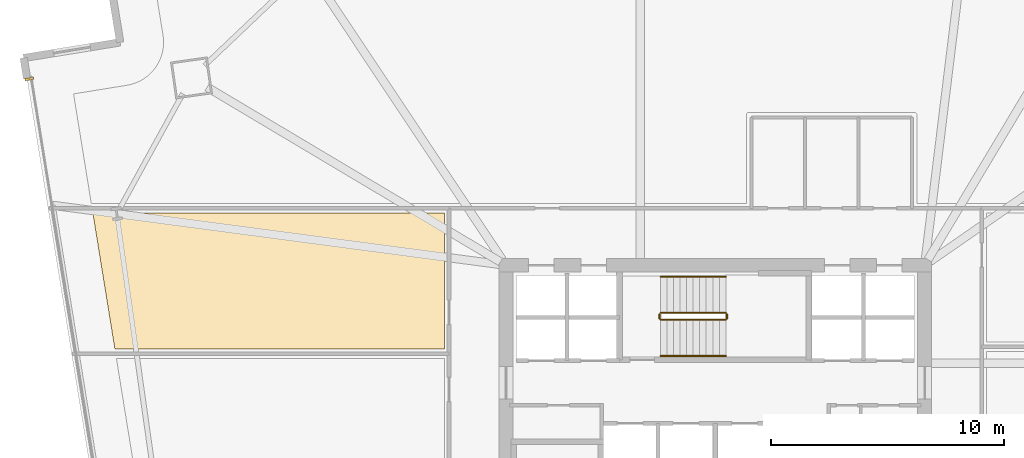
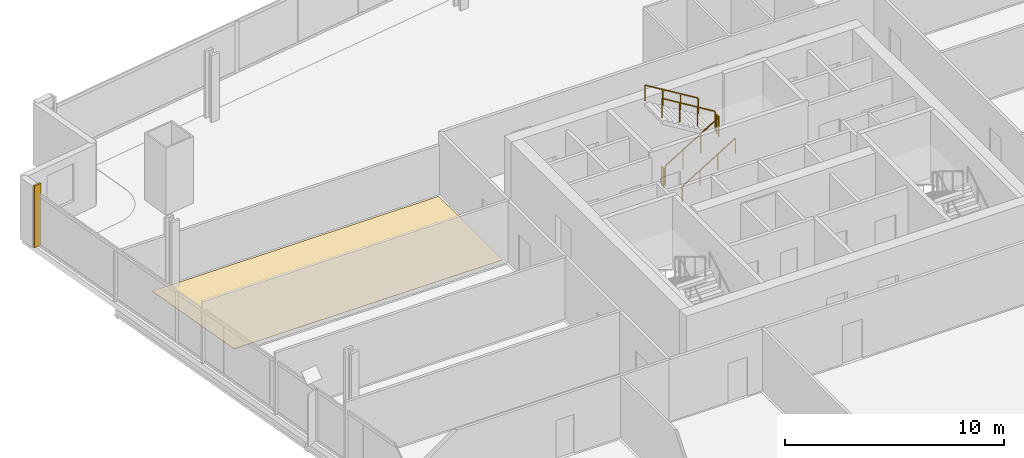
# One storey, part 32 of 33: 6 railings, 2 coverings.
"""IFC4 building model written with IfcOpenShell, lengths in metres."""

import ifcopenshell
import ifcopenshell.guid

model = None  # the IFC model being written
_history = None  # IfcOwnerHistory: only IFC2X3 demands one
_inside = {}  # id of a spatial element -> (the spatial element, [elements in it])
_under = {}  # id of a project, library or spatial element -> (it, [spatial elements below it])
_declared = {}  # id of a project -> (the project, [libraries it declares])
_typed = {}  # id of a type object -> (the type object, [elements of that type])
_made_of = {}  # id of a material, layer set ... -> (it, [elements and type objects made of it])


def new_model(schema):
    """Start an empty IFC model of exactly this schema.

    Asked for "IFC4X3", IfcOpenShell would pick the latest addendum, in which some entities
    have other attributes; the version numbers below select the first issue.
    IFC2X3 requires an IfcOwnerHistory on every rooted entity: one is made here for all.
    """
    global model, _history
    if schema == "IFC4X3":
        model = ifcopenshell.file(schema_version=(4, 3, 0, 0))
    else:
        model = ifcopenshell.file(schema=schema)
    _inside.clear()
    _under.clear()
    _declared.clear()
    _typed.clear()
    _made_of.clear()
    _history = None
    if model.schema == "IFC2X3":
        org = make("IfcOrganization", Name="unknown")
        user = make(
            "IfcPersonAndOrganization",
            ThePerson=make("IfcPerson", FamilyName="unknown"),
            TheOrganization=org,
        )
        app = make(
            "IfcApplication",
            ApplicationDeveloper=org,
            Version="unknown",
            ApplicationFullName="unknown",
            ApplicationIdentifier="unknown",
        )
        _history = make(
            "IfcOwnerHistory",
            OwningUser=user,
            OwningApplication=app,
            ChangeAction="ADDED",
            CreationDate=0,
        )
    return model


def make(cls, **values):
    """One entity of the class cls with the attributes given. An attribute that is None is left unset."""
    return model.create_entity(
        cls, **{name: value for name, value in values.items() if value is not None}
    )


def rooted(cls, **values):
    """An entity with a GlobalId (a new one), such as an element, a storey or a relation."""
    return make(cls, GlobalId=ifcopenshell.guid.new(), OwnerHistory=_history, **values)


def si_unit(unit_type, name, prefix=None):
    """IfcSIUnit, for example si_unit("LENGTHUNIT", "METRE", prefix="MILLI")."""
    return make("IfcSIUnit", UnitType=unit_type, Prefix=prefix, Name=name)


def assignment(units):
    """IfcUnitAssignment: the units of a project."""
    return None if units is None else make("IfcUnitAssignment", Units=units)


def point(xyz):
    """IfcCartesianPoint."""
    return None if xyz is None else make("IfcCartesianPoint", Coordinates=xyz)


def direction(xyz):
    """IfcDirection."""
    return None if xyz is None else make("IfcDirection", DirectionRatios=xyz)


def frame(location, z_axis=None, x_axis=None):
    """IfcAxis2Placement3D, a coordinate frame: its origin and axes. An axis left out is left unset."""
    return make(
        "IfcAxis2Placement3D",
        Location=point(location),
        Axis=direction(z_axis),
        RefDirection=direction(x_axis),
    )


def frame_2d(location, x_axis=None):
    """IfcAxis2Placement2D, a coordinate frame in the plane: its origin and x axis."""
    return make(
        "IfcAxis2Placement2D", Location=point(location), RefDirection=direction(x_axis)
    )


def origin():
    """The frame at (0, 0, 0) with its axes left unset."""
    return frame((0.0, 0.0, 0.0))


def origin_2d():
    """The frame at (0, 0) in the plane with its x axis left unset."""
    return frame_2d((0.0, 0.0))


def place(relative_to, where):
    """IfcLocalPlacement: puts the frame where relative to a parent placement (None: the world)."""
    return make(
        "IfcLocalPlacement", PlacementRelTo=relative_to, RelativePlacement=where
    )


def context(
    kind, dimensions, precision=None, world=None, true_north=None, identifier=None
):
    """IfcGeometricRepresentationContext, for example the 3D "Model" context."""
    return make(
        "IfcGeometricRepresentationContext",
        ContextIdentifier=identifier,
        ContextType=kind,
        CoordinateSpaceDimension=dimensions,
        Precision=precision,
        WorldCoordinateSystem=world,
        TrueNorth=true_north,
    )


def subcontext(parent, identifier, kind, view, scale=None):
    """IfcGeometricRepresentationSubContext, for example "Body" below "Model"."""
    return make(
        "IfcGeometricRepresentationSubContext",
        ContextIdentifier=identifier,
        ContextType=kind,
        ParentContext=parent,
        TargetScale=scale,
        TargetView=view,
    )


def project(units=None, contexts=None):
    """IfcProject with its units and contexts."""
    return rooted(
        "IfcProject",
        Name="project",
        RepresentationContexts=contexts,
        UnitsInContext=assignment(units),
    )


def spatial(cls, under=None, at=None, **own):
    """A site, building, storey or space (cls), placed at a placement, below another one or the project."""
    s = rooted(cls, ObjectPlacement=at, **own)
    if under is not None:
        _under.setdefault(under.id(), (under, []))[1].append(s)
    return s


def polyline(points):
    """IfcPolyline through the points."""
    return make("IfcPolyline", Points=[point(p) for p in points])


def profile(cls, at=None, kind="AREA", **sizes):
    """A parametric profile (cls). Its sizes go by their IFC names, for example OverallWidth=200.0."""
    return make(cls, ProfileType=kind, Position=at, **sizes)


def rectangle(**sizes):
    """IfcRectangleProfileDef."""
    return profile("IfcRectangleProfileDef", **sizes)


def outline(outer, holes=None, kind="AREA"):
    """IfcArbitraryClosedProfileDef: a profile drawn as a closed curve; with holes, ...WithVoids."""
    if holes is None:
        return make("IfcArbitraryClosedProfileDef", ProfileType=kind, OuterCurve=outer)
    return make(
        "IfcArbitraryProfileDefWithVoids",
        ProfileType=kind,
        OuterCurve=outer,
        InnerCurves=holes,
    )


def extrude(swept, where, along, depth):
    """IfcExtrudedAreaSolid: the profile swept, set in the frame where, extruded along a direction by depth."""
    return make(
        "IfcExtrudedAreaSolid",
        SweptArea=swept,
        Position=where,
        ExtrudedDirection=direction(along),
        Depth=depth,
    )


def shape(context_of_items, identifier, shape_type, items):
    """IfcShapeRepresentation: the items that make up one representation, for example the "Body"."""
    return make(
        "IfcShapeRepresentation",
        ContextOfItems=context_of_items,
        RepresentationIdentifier=identifier,
        RepresentationType=shape_type,
        Items=items,
    )


def source(mapping_origin, context_of_items, identifier, shape_type, items):
    """IfcRepresentationMap: a shape defined once, which mapped items show again and again."""
    return make(
        "IfcRepresentationMap",
        MappingOrigin=mapping_origin,
        MappedRepresentation=shape(context_of_items, identifier, shape_type, items),
    )


def transform(
    local_origin,
    x_axis=None,
    y_axis=None,
    z_axis=None,
    scale=None,
    scale2=None,
    scale3=None,
    uniform=True,
):
    """IfcCartesianTransformationOperator3D, or its non-uniform kind. x_axis, y_axis, z_axis: its Axis1, 2, 3."""
    if uniform:
        return make(
            "IfcCartesianTransformationOperator3D",
            Axis1=direction(x_axis),
            Axis2=direction(y_axis),
            LocalOrigin=point(local_origin),
            Scale=scale,
            Axis3=direction(z_axis),
        )
    return make(
        "IfcCartesianTransformationOperator3DnonUniform",
        Axis1=direction(x_axis),
        Axis2=direction(y_axis),
        LocalOrigin=point(local_origin),
        Scale=scale,
        Axis3=direction(z_axis),
        Scale2=scale2,
        Scale3=scale3,
    )


def mapped(mapping_source, mapping_target):
    """IfcMappedItem: shows the shape of a source again, moved by a transform."""
    return make(
        "IfcMappedItem", MappingSource=mapping_source, MappingTarget=mapping_target
    )


def material(Name=None, Category=None):
    """IfcMaterial."""
    return make("IfcMaterial", Name=Name, Category=Category)


def layer(
    of_material, thickness, ventilated=None, Name=None, Category=None, Priority=None
):
    """IfcMaterialLayer: one layer of a wall or slab, of a material (None: an air gap)."""
    return make(
        "IfcMaterialLayer",
        Material=of_material,
        LayerThickness=thickness,
        IsVentilated=ventilated,
        Name=Name,
        Category=Category,
        Priority=Priority,
    )


def layer_set(layers, Name=None):
    """IfcMaterialLayerSet."""
    return make("IfcMaterialLayerSet", MaterialLayers=layers, LayerSetName=Name)


def made_of(thing, what):
    """Note that an element or type object is made of a material, layer set ...; save() writes the relation."""
    if what is not None:
        _made_of.setdefault(what.id(), (what, []))[1].append(thing)
    return thing


def type_object(cls, material=None, **own):
    """A type object (cls), such as IfcWallType, which elements share."""
    return made_of(rooted(cls, **own), material)


def element(
    cls,
    number,
    at=None,
    inside=None,
    cuts=None,
    type_object=None,
    material=None,
    context=None,
    identifier="Body",
    shape_type=None,
    held_by="IfcProductDefinitionShape",
    body=None,
    shapes=None,
    **own,
):
    """One element of the class cls, such as IfcWall. Its Tag is "e" and its number.

    at: its placement. inside: the storey or other place that contains it. cuts: it is an
    opening in that element (IfcRelVoidsElement). A single representation is given by context,
    identifier, shape_type and body (its items); several are given by shapes. held_by: the class
    of the entity that holds the representations. save() writes the other relations.
    """
    e = rooted(cls, Tag="e%d" % number, ObjectPlacement=at, **own)
    if body is not None:
        shapes = [shape(context, identifier, shape_type, body)]
    if shapes is not None:
        e.Representation = make(held_by, Representations=shapes)
    if inside is not None:
        _inside.setdefault(inside.id(), (inside, []))[1].append(e)
    if cuts is not None:
        rooted(
            "IfcRelVoidsElement", RelatingBuildingElement=cuts, RelatedOpeningElement=e
        )
    if type_object is not None:
        _typed.setdefault(type_object.id(), (type_object, []))[1].append(e)
    return made_of(e, material)


def aggregate(whole, parts):
    """IfcRelAggregates: a whole, such as a stair, and the parts it consists of."""
    return rooted("IfcRelAggregates", RelatingObject=whole, RelatedObjects=parts)


def save(model, path):
    """Write the relations noted so far, then the file.

    IfcRelAggregates (storeys below a building ...), IfcRelContainedInSpatialStructure (elements
    in a storey), IfcRelDefinesByType, IfcRelAssociatesMaterial and IfcRelDeclares: one each for
    every whole, place, type object, material and project.
    """
    for whole, parts in _under.values():
        aggregate(whole, parts)
    for where, things in _inside.values():
        rooted(
            "IfcRelContainedInSpatialStructure",
            RelatedElements=things,
            RelatingStructure=where,
        )
    for kind, things in _typed.values():
        rooted("IfcRelDefinesByType", RelatedObjects=things, RelatingType=kind)
    for what, things in _made_of.values():
        rooted("IfcRelAssociatesMaterial", RelatedObjects=things, RelatingMaterial=what)
    for by, libraries in _declared.values():
        rooted("IfcRelDeclares", RelatingContext=by, RelatedDefinitions=libraries)
    model.write(path)


model = new_model("IFC4")

# Units and contexts
model_context = context("Model", 3, precision=1e-05, world=origin(), true_north=direction((0.0, 1.0)))
body_context = subcontext(model_context, "Body", "Model", "MODEL_VIEW")
ifc_project = project(units=[si_unit("LENGTHUNIT", "METRE"), si_unit("AREAUNIT", "SQUARE_METRE"), si_unit("VOLUMEUNIT", "CUBIC_METRE"), si_unit("PLANEANGLEUNIT", "RADIAN"), si_unit("MASSUNIT", "GRAM", prefix="KILO")], contexts=[model_context])

# Site, building, storey
site_placement = place(None, origin())
site = spatial("IfcSite", under=ifc_project, at=site_placement, CompositionType="ELEMENT")
building_placement = place(site_placement, origin())
building = spatial("IfcBuilding", under=site, at=building_placement, Name="Haldenkirk Collegiate Tower", CompositionType="ELEMENT")
storey_placement = place(building_placement, frame((0.0, 0.0, 58.949951171875)))
storey = spatial("IfcBuildingStorey", under=building, at=storey_placement, Name="L13", CompositionType="ELEMENT", Elevation=58.949951171875)

# Covering
ifc_material_1 = material(Name="Engineered collegiate oak acoustic flooring", Category="wood")
ifc_layer_1 = layer(ifc_material_1, 0.02197265625)
ifc_layer_set_1 = layer_set([ifc_layer_1], Name="Engineered collegiate oak acoustic flooring")
covering_type_1 = type_object("IfcCoveringType", Name="COV-FLOOR-TIMBER", PredefinedType="FLOORING", material=ifc_layer_set_1)
covering_1_placement = place(storey_placement, origin())
element("IfcCovering", 1, at=covering_1_placement, inside=storey, type_object=covering_type_1, Name="L13 academic room finish 09", PredefinedType="FLOORING", context=body_context, shape_type="SweptSolid", body=[
    extrude(outline(polyline([(9.237060546875, 36.25), (24.35009765625, 36.25), (24.35009765625, 30.39990234375), (10.184326171875, 30.39990234375), (9.237060546875, 36.25)])), origin(), (0.0, 0.0, 1.0), 0.02197265625),
])

# Railings
ifc_material_2 = material(Name="Painted architectural tubular steel", Category="steel")
railing_type_1 = type_object("IfcRailingType", Name="RLG-STAIR-GUARD-1100", PredefinedType="BALUSTRADE", material=ifc_material_2)
railing_1_placement = place(storey_placement, frame((33.64990234375, 31.64990234375, 0.17041015625)))
element("IfcRailing", 2, at=railing_1_placement, inside=storey, type_object=railing_type_1, Name="L13 ST-3 stair guard 1", PredefinedType="BALUSTRADE", context=body_context, shape_type="SweptSolid", body=[
    extrude(rectangle(XDim=0.048095703125, YDim=0.048095703125, at=origin_2d()), frame((0.0, 0.0, 1.076171875), z_axis=(0.854169791009, 0.0, 0.51999420009), x_axis=(0.0, 1.0, 0.0)), (0.0, 0.0, 1.0), 3.278076171875),
    extrude(rectangle(XDim=0.0419921875, YDim=0.0419921875, at=origin_2d()), origin(), (0.0, 0.0, 1.0), 1.052001953125),
    extrude(rectangle(XDim=0.0419921875, YDim=0.0419921875, at=origin_2d()), frame((0.933349609375, 0.0, 0.568115234375)), (0.0, 0.0, 1.0), 1.052001953125),
    extrude(rectangle(XDim=0.0419921875, YDim=0.0419921875, at=origin_2d()), frame((1.86669921875, 0.0, 1.136474609375)), (0.0, 0.0, 1.0), 1.052001953125),
    extrude(rectangle(XDim=0.0419921875, YDim=0.0419921875, at=origin_2d()), frame((2.800048828125, 0.0, 1.70458984375)), (0.0, 0.0, 1.0), 1.052001953125),
])
railing_2_placement = place(storey_placement, frame((36.5, 31.699951171875, 1.875)))
element("IfcRailing", 3, at=railing_2_placement, inside=storey, type_object=railing_type_1, Name="L13 ST-3 stair guard 2", PredefinedType="BALUSTRADE", context=body_context, shape_type="SweptSolid", body=[
    extrude(rectangle(XDim=0.048095703125, YDim=0.048095703125, at=origin_2d()), frame((0.0, 0.0, 1.076171875), z_axis=(0.0, 1.0, 0.0), x_axis=(-1.0, 0.0, 0.0)), (0.0, 0.0, 1.0), 0.199951171875),
    extrude(rectangle(XDim=0.0419921875, YDim=0.0419921875, at=origin_2d()), origin(), (0.0, 0.0, 1.0), 1.052001953125),
    extrude(rectangle(XDim=0.0419921875, YDim=0.0419921875, at=origin_2d()), frame((0.0, 0.199951171875, 0.0)), (0.0, 0.0, 1.0), 1.052001953125),
])
railing_3_placement = place(storey_placement, frame((36.449951171875, 31.949951171875, 2.04541015625)))
element("IfcRailing", 4, at=railing_3_placement, inside=storey, type_object=railing_type_1, Name="L13 ST-3 stair guard 3", PredefinedType="BALUSTRADE", context=body_context, shape_type="SweptSolid", body=[
    extrude(rectangle(XDim=0.048095703125, YDim=0.048095703125, at=origin_2d()), frame((0.0, 0.0, 1.076171875), z_axis=(-0.854169791009, 0.0, 0.51999420009), x_axis=(0.0, -1.0, 0.0)), (0.0, 0.0, 1.0), 3.278076171875),
    extrude(rectangle(XDim=0.0419921875, YDim=0.0419921875, at=origin_2d()), origin(), (0.0, 0.0, 1.0), 1.052001953125),
    extrude(rectangle(XDim=0.0419921875, YDim=0.0419921875, at=origin_2d()), frame((-0.933349609375, 0.0, 0.568115234375)), (0.0, 0.0, 1.0), 1.052001953125),
    extrude(rectangle(XDim=0.0419921875, YDim=0.0419921875, at=origin_2d()), frame((-1.86669921875, 0.0, 1.136474609375)), (0.0, 0.0, 1.0), 1.052001953125),
    extrude(rectangle(XDim=0.0419921875, YDim=0.0419921875, at=origin_2d()), frame((-2.800048828125, 0.0, 1.70458984375)), (0.0, 0.0, 1.0), 1.052001953125),
])
railing_4_placement = place(storey_placement, frame((33.60009765625, 31.699951171875, 0.0)))
element("IfcRailing", 5, at=railing_4_placement, inside=storey, type_object=railing_type_1, Name="L13 ST-3 stair guard 4", PredefinedType="BALUSTRADE", context=body_context, shape_type="SweptSolid", body=[
    extrude(rectangle(XDim=0.048095703125, YDim=0.048095703125, at=origin_2d()), frame((0.0, 0.0, 1.076171875), z_axis=(0.0, 1.0, 0.0), x_axis=(-1.0, 0.0, 0.0)), (0.0, 0.0, 1.0), 0.199951171875),
    extrude(rectangle(XDim=0.0419921875, YDim=0.0419921875, at=origin_2d()), origin(), (0.0, 0.0, 1.0), 1.052001953125),
    extrude(rectangle(XDim=0.0419921875, YDim=0.0419921875, at=origin_2d()), frame((0.0, 0.199951171875, 0.0)), (0.0, 0.0, 1.0), 1.052001953125),
])
railing_type_2 = type_object("IfcRailingType", Name="RLG-STAIR-HANDRAIL-900", PredefinedType="HANDRAIL", material=ifc_material_2)
railing_5_placement = place(storey_placement, frame((33.64990234375, 30.10009765625, 0.17041015625)))
element("IfcRailing", 6, at=railing_5_placement, inside=storey, type_object=railing_type_2, Name="L13 ST-3 stair handrail 1", PredefinedType="HANDRAIL", context=body_context, shape_type="SweptSolid", body=[
    extrude(rectangle(XDim=0.048095703125, YDim=0.048095703125, at=origin_2d()), frame((0.0, 0.0, 0.8759765625), z_axis=(0.854169791009, 0.0, 0.51999420009), x_axis=(0.0, 1.0, 0.0)), (0.0, 0.0, 1.0), 3.278076171875),
    extrude(rectangle(XDim=0.0419921875, YDim=0.0419921875, at=origin_2d()), origin(), (0.0, 0.0, 1.0), 0.851806640625),
    extrude(rectangle(XDim=0.0419921875, YDim=0.0419921875, at=origin_2d()), frame((0.933349609375, 0.0, 0.568115234375)), (0.0, 0.0, 1.0), 0.851806640625),
    extrude(rectangle(XDim=0.0419921875, YDim=0.0419921875, at=origin_2d()), frame((1.86669921875, 0.0, 1.136474609375)), (0.0, 0.0, 1.0), 0.851806640625),
    extrude(rectangle(XDim=0.0419921875, YDim=0.0419921875, at=origin_2d()), frame((2.800048828125, 0.0, 1.70458984375)), (0.0, 0.0, 1.0), 0.851806640625),
])
railing_6_placement = place(storey_placement, frame((36.449951171875, 33.5, 2.04541015625)))
element("IfcRailing", 7, at=railing_6_placement, inside=storey, type_object=railing_type_2, Name="L13 ST-3 stair handrail 2", PredefinedType="HANDRAIL", context=body_context, shape_type="SweptSolid", body=[
    extrude(rectangle(XDim=0.048095703125, YDim=0.048095703125, at=origin_2d()), frame((0.0, 0.0, 0.8759765625), z_axis=(-0.854169791009, 0.0, 0.51999420009), x_axis=(0.0, -1.0, 0.0)), (0.0, 0.0, 1.0), 3.278076171875),
    extrude(rectangle(XDim=0.0419921875, YDim=0.0419921875, at=origin_2d()), origin(), (0.0, 0.0, 1.0), 0.851806640625),
    extrude(rectangle(XDim=0.0419921875, YDim=0.0419921875, at=origin_2d()), frame((-0.933349609375, 0.0, 0.568115234375)), (0.0, 0.0, 1.0), 0.851806640625),
    extrude(rectangle(XDim=0.0419921875, YDim=0.0419921875, at=origin_2d()), frame((-1.86669921875, 0.0, 1.136474609375)), (0.0, 0.0, 1.0), 0.851806640625),
    extrude(rectangle(XDim=0.0419921875, YDim=0.0419921875, at=origin_2d()), frame((-2.800048828125, 0.0, 1.70458984375)), (0.0, 0.0, 1.0), 0.851806640625),
])

# Covering
ifc_material_3 = material(Name="Anodised architectural bronze aluminium", Category="aluminium")
ifc_layer_2 = layer(ifc_material_3, 0.06005859375)
ifc_layer_set_2 = layer_set([ifc_layer_2], Name="Anodised architectural bronze aluminium")
covering_type_2 = type_object("IfcCoveringType", Name="COV-CLAD-BRONZE-60", PredefinedType="CLADDING", material=ifc_layer_set_2)
shared_shape = source(origin(), body_context, "Body", "SweptSolid", [
    extrude(rectangle(XDim=0.10009765625, YDim=0.3798828125, at=origin_2d()), origin(), (0.0, 0.0, 1.0), 3.43994140625),
])
covering_2_placement = place(storey_placement, frame((6.5009765625, 42.009521484375, 0.0), z_axis=(0.0, 0.0, 1.0), x_axis=(-0.159881187692, 0.987136265073, 0.0)))
element("IfcCovering", 8, at=covering_2_placement, inside=storey, type_object=covering_type_2, Name="L13 recessed curtain-wall bronze jamb closure WJR", PredefinedType="CLADDING", context=body_context, shape_type="MappedRepresentation", body=[
    mapped(shared_shape, transform((0.0, 0.0, 0.0), x_axis=(1.0, 0.0, 0.0), y_axis=(0.0, 1.0, 0.0), z_axis=(0.0, 0.0, 1.0), scale=1.0)),
])

save(model, "model.ifc")
